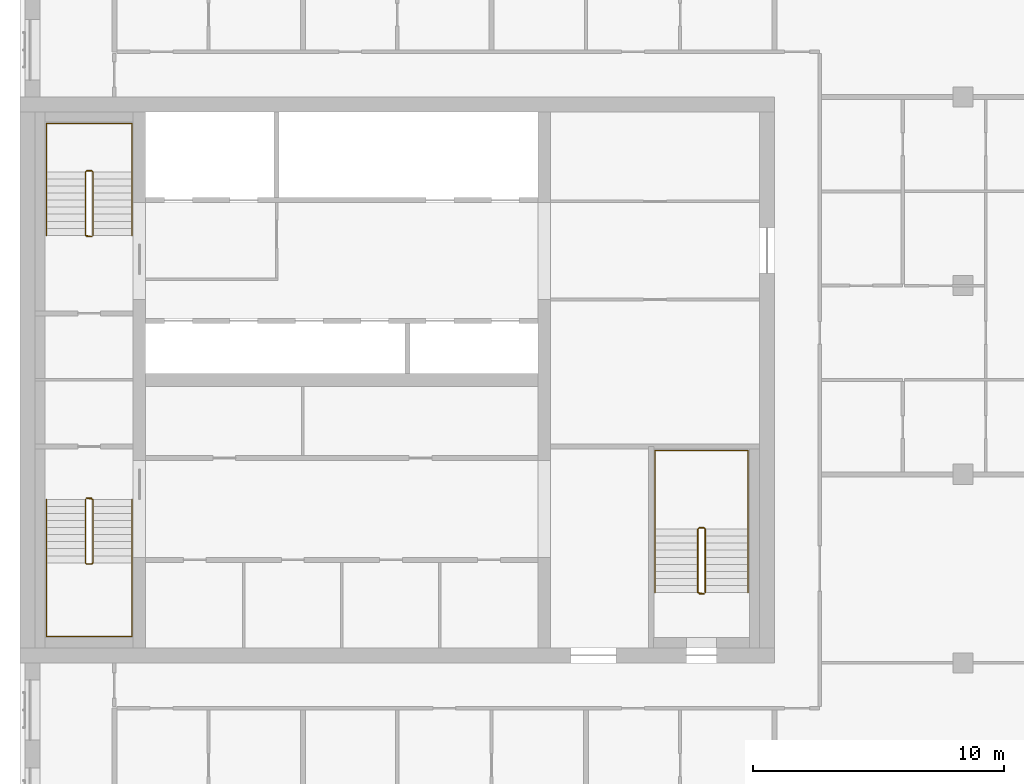
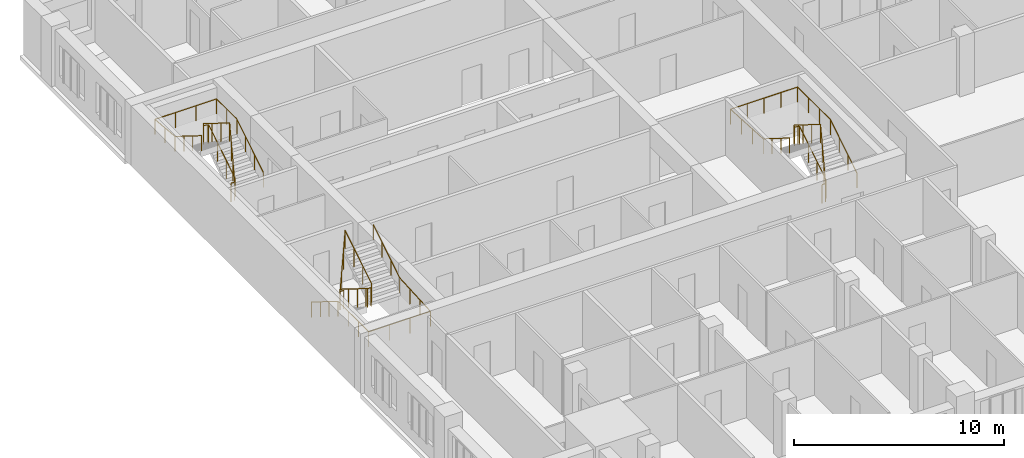
# One storey, part 11 of 11: 6 railings.
"""IFC4 building model written with IfcOpenShell, lengths in metres."""

from ifc_helpers import new_model, si_unit, direction, frame, origin, origin_2d, place, context, subcontext, project, spatial, circle, extrude, material, type_object, element, save


model = new_model("IFC4")

# Units and contexts
model_context = context("Model", 3, precision=1e-05, world=origin(), true_north=direction((0.0, 1.0)))
body_context = subcontext(model_context, "Body", "Model", "MODEL_VIEW")
ifc_project = project(units=[si_unit("LENGTHUNIT", "METRE"), si_unit("AREAUNIT", "SQUARE_METRE"), si_unit("VOLUMEUNIT", "CUBIC_METRE"), si_unit("PLANEANGLEUNIT", "RADIAN"), si_unit("MASSUNIT", "GRAM", prefix="KILO")], contexts=[model_context])

# Site, building, storey
site_placement = place(None, origin())
site = spatial("IfcSite", under=ifc_project, at=site_placement, CompositionType="ELEMENT")
building_placement = place(site_placement, origin())
building = spatial("IfcBuilding", under=site, at=building_placement, Name="Tamorin Gate", CompositionType="ELEMENT")
storey_placement = place(building_placement, frame((0.0, 0.0, 244.199951171875)))
storey = spatial("IfcBuildingStorey", under=building, at=storey_placement, Name="L61", CompositionType="ELEMENT", Elevation=244.199951171875)

# Railings
ifc_material_1 = material(Name="Painted steel balustrade", Category="steel")
railing_type_1 = type_object("IfcRailingType", Name="Stair guard 1100", PredefinedType="GUARDRAIL", material=ifc_material_1)
railing_1_placement = place(storey_placement, frame((32.60009765625, 66.5, 0.175048828125)))
element("IfcRailing", 1, at=railing_1_placement, inside=storey, type_object=railing_type_1, Name="L61 ST1 stair guard 1", PredefinedType="GUARDRAIL", context=body_context, shape_type="SweptSolid", body=[
    extrude(circle(Radius=0.02392578125, at=origin_2d()), frame((0.0, 0.0, 1.076171875), z_axis=(0.0, -0.848007534815, 0.529984170421), x_axis=(1.0, 0.0, 0.0)), (0.0, 0.0, 1.0), 2.9716796875),
    extrude(circle(Radius=0.02392578125, at=origin_2d()), frame((0.0, -2.52001953125, 2.65087890625), z_axis=(0.705375805398, -0.708833529934, 0.0), x_axis=(0.708833529934, 0.705375805398, 0.0)), (0.0, 0.0, 1.0), 0.070556640625),
    extrude(circle(Radius=0.02392578125, at=origin_2d()), frame((0.0498046875, -2.570068359375, 2.65087890625), z_axis=(1.0, 0.0, 0.0), x_axis=(0.0, 1.0, 0.0)), (0.0, 0.0, 1.0), 0.2001953125),
    extrude(circle(Radius=0.02392578125, at=origin_2d()), frame((0.25, -2.570068359375, 2.65087890625), z_axis=(0.263862480399, 0.265155923931, 0.927399011991), x_axis=(-0.708833529934, 0.705375805398, 0.0)), (0.0, 0.0, 1.0), 0.188720703125),
    extrude(circle(Radius=0.02392578125, at=origin_2d()), frame((0.2998046875, -2.52001953125, 2.826171875), z_axis=(0.0, 0.848007534815, 0.529984170421), x_axis=(-1.0, 0.0, 0.0)), (0.0, 0.0, 1.0), 2.9716796875),
    extrude(circle(Radius=0.02392578125, at=origin_2d()), frame((0.2998046875, 0.0, 4.40087890625), z_axis=(-0.071239803756, 0.014261874775, -0.997357252587), x_axis=(-0.196300278283, -0.98054382908, 0.0)), (0.0, 0.0, 1.0), 3.50927734375),
    extrude(circle(Radius=0.02392578125, at=origin_2d()), frame((0.0498046875, 0.050048828125, 0.90087890625), z_axis=(1.0, 0.0, 0.0), x_axis=(0.0, 1.0, 0.0)), (0.0, 0.0, 1.0), 0.2001953125),
    extrude(circle(Radius=0.02099609375, at=origin_2d()), origin(), (0.0, 0.0, 1.0), 1.052001953125),
    extrude(circle(Radius=0.02099609375, at=origin_2d()), frame((0.0, -0.840087890625, 0.52490234375)), (0.0, 0.0, 1.0), 1.052001953125),
    extrude(circle(Radius=0.02099609375, at=origin_2d()), frame((0.0, -1.679931640625, 1.050048828125)), (0.0, 0.0, 1.0), 1.052001953125),
    extrude(circle(Radius=0.02099609375, at=origin_2d()), frame((0.0, -2.52001953125, 1.574951171875)), (0.0, 0.0, 1.0), 1.052001953125),
    extrude(circle(Radius=0.02099609375, at=origin_2d()), frame((0.0498046875, -2.570068359375, 1.574951171875)), (0.0, 0.0, 1.0), 1.052001953125),
    extrude(circle(Radius=0.02099609375, at=origin_2d()), frame((0.25, -2.570068359375, 1.574951171875)), (0.0, 0.0, 1.0), 1.052001953125),
    extrude(circle(Radius=0.02099609375, at=origin_2d()), frame((0.2998046875, -2.52001953125, 1.75)), (0.0, 0.0, 1.0), 1.052001953125),
    extrude(circle(Radius=0.02099609375, at=origin_2d()), frame((0.2998046875, -1.679931640625, 2.27490234375)), (0.0, 0.0, 1.0), 1.052001953125),
    extrude(circle(Radius=0.02099609375, at=origin_2d()), frame((0.2998046875, -0.840087890625, 2.800048828125)), (0.0, 0.0, 1.0), 1.052001953125),
    extrude(circle(Radius=0.02099609375, at=origin_2d()), frame((0.2998046875, 0.0, 3.324951171875)), (0.0, 0.0, 1.0), 1.052001953125),
    extrude(circle(Radius=0.02099609375, at=origin_2d()), frame((0.216552734375, 0.0166015625, 2.158203125)), (0.0, 0.0, 1.0), 1.052001953125),
    extrude(circle(Radius=0.02099609375, at=origin_2d()), frame((0.133056640625, 0.033447265625, 0.99169921875)), (0.0, 0.0, 1.0), 1.052001953125),
    extrude(circle(Radius=0.02099609375, at=origin_2d()), frame((0.0498046875, 0.050048828125, -0.175048828125)), (0.0, 0.0, 1.0), 1.052001953125),
    extrude(circle(Radius=0.02099609375, at=origin_2d()), frame((0.25, 0.050048828125, -0.175048828125)), (0.0, 0.0, 1.0), 1.052001953125),
])
railing_2_placement = place(storey_placement, frame((32.89990234375, 77.0, 0.175048828125)))
element("IfcRailing", 2, at=railing_2_placement, inside=storey, type_object=railing_type_1, Name="L61 ST2 stair guard 1", PredefinedType="GUARDRAIL", context=body_context, shape_type="SweptSolid", body=[
    extrude(circle(Radius=0.02392578125, at=origin_2d()), frame((0.0, 0.0, 1.076171875), z_axis=(0.0, 0.848007534815, 0.529984170421), x_axis=(-1.0, 0.0, 0.0)), (0.0, 0.0, 1.0), 2.9716796875),
    extrude(circle(Radius=0.02392578125, at=origin_2d()), frame((0.0, 2.52001953125, 2.65087890625), z_axis=(-0.705375805398, 0.708833529934, 0.0), x_axis=(-0.708833529934, -0.705375805398, 0.0)), (0.0, 0.0, 1.0), 0.070556640625),
    extrude(circle(Radius=0.02392578125, at=origin_2d()), frame((-0.0498046875, 2.570068359375, 2.65087890625), z_axis=(-1.0, 0.0, 0.0), x_axis=(0.0, -1.0, 0.0)), (0.0, 0.0, 1.0), 0.2001953125),
    extrude(circle(Radius=0.02392578125, at=origin_2d()), frame((-0.25, 2.570068359375, 2.65087890625), z_axis=(-0.263862480399, -0.265155923931, 0.927399011991), x_axis=(0.708833529934, -0.705375805398, 0.0)), (0.0, 0.0, 1.0), 0.188720703125),
    extrude(circle(Radius=0.02392578125, at=origin_2d()), frame((-0.2998046875, 2.52001953125, 2.826171875), z_axis=(0.0, -0.848007534815, 0.529984170421), x_axis=(1.0, 0.0, 0.0)), (0.0, 0.0, 1.0), 2.9716796875),
    extrude(circle(Radius=0.02392578125, at=origin_2d()), frame((-0.2998046875, 0.0, 4.40087890625), z_axis=(0.071239803756, -0.014261874775, -0.997357252587), x_axis=(0.196300278283, 0.98054382908, 0.0)), (0.0, 0.0, 1.0), 3.50927734375),
    extrude(circle(Radius=0.02392578125, at=origin_2d()), frame((-0.0498046875, -0.050048828125, 0.90087890625), z_axis=(-1.0, 0.0, 0.0), x_axis=(0.0, -1.0, 0.0)), (0.0, 0.0, 1.0), 0.2001953125),
    extrude(circle(Radius=0.02099609375, at=origin_2d()), origin(), (0.0, 0.0, 1.0), 1.052001953125),
    extrude(circle(Radius=0.02099609375, at=origin_2d()), frame((0.0, 0.840087890625, 0.52490234375)), (0.0, 0.0, 1.0), 1.052001953125),
    extrude(circle(Radius=0.02099609375, at=origin_2d()), frame((0.0, 1.679931640625, 1.050048828125)), (0.0, 0.0, 1.0), 1.052001953125),
    extrude(circle(Radius=0.02099609375, at=origin_2d()), frame((0.0, 2.52001953125, 1.574951171875)), (0.0, 0.0, 1.0), 1.052001953125),
    extrude(circle(Radius=0.02099609375, at=origin_2d()), frame((-0.0498046875, 2.570068359375, 1.574951171875)), (0.0, 0.0, 1.0), 1.052001953125),
    extrude(circle(Radius=0.02099609375, at=origin_2d()), frame((-0.25, 2.570068359375, 1.574951171875)), (0.0, 0.0, 1.0), 1.052001953125),
    extrude(circle(Radius=0.02099609375, at=origin_2d()), frame((-0.2998046875, 2.52001953125, 1.75)), (0.0, 0.0, 1.0), 1.052001953125),
    extrude(circle(Radius=0.02099609375, at=origin_2d()), frame((-0.2998046875, 1.679931640625, 2.27490234375)), (0.0, 0.0, 1.0), 1.052001953125),
    extrude(circle(Radius=0.02099609375, at=origin_2d()), frame((-0.2998046875, 0.840087890625, 2.800048828125)), (0.0, 0.0, 1.0), 1.052001953125),
    extrude(circle(Radius=0.02099609375, at=origin_2d()), frame((-0.2998046875, 0.0, 3.324951171875)), (0.0, 0.0, 1.0), 1.052001953125),
    extrude(circle(Radius=0.02099609375, at=origin_2d()), frame((-0.216552734375, -0.0166015625, 2.158203125)), (0.0, 0.0, 1.0), 1.052001953125),
    extrude(circle(Radius=0.02099609375, at=origin_2d()), frame((-0.133056640625, -0.033447265625, 0.99169921875)), (0.0, 0.0, 1.0), 1.052001953125),
    extrude(circle(Radius=0.02099609375, at=origin_2d()), frame((-0.0498046875, -0.050048828125, -0.175048828125)), (0.0, 0.0, 1.0), 1.052001953125),
    extrude(circle(Radius=0.02099609375, at=origin_2d()), frame((-0.25, -0.050048828125, -0.175048828125)), (0.0, 0.0, 1.0), 1.052001953125),
])
railing_3_placement = place(storey_placement, frame((57.25, 62.800048828125, 0.175048828125)))
element("IfcRailing", 3, at=railing_3_placement, inside=storey, type_object=railing_type_1, Name="L61 ST3 stair guard 1", PredefinedType="GUARDRAIL", context=body_context, shape_type="SweptSolid", body=[
    extrude(circle(Radius=0.02392578125, at=origin_2d()), frame((0.0, 0.0, 1.076171875), z_axis=(0.0, 0.848007534815, 0.529984170421), x_axis=(-1.0, 0.0, 0.0)), (0.0, 0.0, 1.0), 2.9716796875),
    extrude(circle(Radius=0.02392578125, at=origin_2d()), frame((0.0, 2.52001953125, 2.65087890625), z_axis=(-0.707106781187, 0.707106781187, 0.0), x_axis=(-0.707106781187, -0.707106781187, 0.0)), (0.0, 0.0, 1.0), 0.07080078125),
    extrude(circle(Radius=0.02392578125, at=origin_2d()), frame((-0.050048828125, 2.570068359375, 2.65087890625), z_axis=(-1.0, 0.0, 0.0), x_axis=(0.0, -1.0, 0.0)), (0.0, 0.0, 1.0), 0.199951171875),
    extrude(circle(Radius=0.02392578125, at=origin_2d()), frame((-0.25, 2.570068359375, 2.65087890625), z_axis=(-0.265065253269, -0.265065253269, 0.927081885822), x_axis=(0.707106781187, -0.707106781187, 0.0)), (0.0, 0.0, 1.0), 0.188720703125),
    extrude(circle(Radius=0.02392578125, at=origin_2d()), frame((-0.300048828125, 2.52001953125, 2.826171875), z_axis=(0.0, -0.848007534815, 0.529984170421), x_axis=(1.0, 0.0, 0.0)), (0.0, 0.0, 1.0), 2.9716796875),
    extrude(circle(Radius=0.02392578125, at=origin_2d()), frame((-0.300048828125, 0.0, 4.40087890625), z_axis=(0.071239803756, -0.014261874775, -0.997357252587), x_axis=(0.196300278283, 0.98054382908, 0.0)), (0.0, 0.0, 1.0), 3.50927734375),
    extrude(circle(Radius=0.02392578125, at=origin_2d()), frame((-0.050048828125, -0.050048828125, 0.90087890625), z_axis=(-1.0, 0.0, 0.0), x_axis=(0.0, -1.0, 0.0)), (0.0, 0.0, 1.0), 0.199951171875),
    extrude(circle(Radius=0.02099609375, at=origin_2d()), origin(), (0.0, 0.0, 1.0), 1.052001953125),
    extrude(circle(Radius=0.02099609375, at=origin_2d()), frame((0.0, 0.840087890625, 0.52490234375)), (0.0, 0.0, 1.0), 1.052001953125),
    extrude(circle(Radius=0.02099609375, at=origin_2d()), frame((0.0, 1.679931640625, 1.050048828125)), (0.0, 0.0, 1.0), 1.052001953125),
    extrude(circle(Radius=0.02099609375, at=origin_2d()), frame((0.0, 2.52001953125, 1.574951171875)), (0.0, 0.0, 1.0), 1.052001953125),
    extrude(circle(Radius=0.02099609375, at=origin_2d()), frame((-0.050048828125, 2.570068359375, 1.574951171875)), (0.0, 0.0, 1.0), 1.052001953125),
    extrude(circle(Radius=0.02099609375, at=origin_2d()), frame((-0.25, 2.570068359375, 1.574951171875)), (0.0, 0.0, 1.0), 1.052001953125),
    extrude(circle(Radius=0.02099609375, at=origin_2d()), frame((-0.300048828125, 2.52001953125, 1.75)), (0.0, 0.0, 1.0), 1.052001953125),
    extrude(circle(Radius=0.02099609375, at=origin_2d()), frame((-0.300048828125, 1.679931640625, 2.27490234375)), (0.0, 0.0, 1.0), 1.052001953125),
    extrude(circle(Radius=0.02099609375, at=origin_2d()), frame((-0.300048828125, 0.840087890625, 2.800048828125)), (0.0, 0.0, 1.0), 1.052001953125),
    extrude(circle(Radius=0.02099609375, at=origin_2d()), frame((-0.300048828125, 0.0, 3.324951171875)), (0.0, 0.0, 1.0), 1.052001953125),
    extrude(circle(Radius=0.02099609375, at=origin_2d()), frame((-0.216796875, -0.0166015625, 2.158203125)), (0.0, 0.0, 1.0), 1.052001953125),
    extrude(circle(Radius=0.02099609375, at=origin_2d()), frame((-0.13330078125, -0.033447265625, 0.99169921875)), (0.0, 0.0, 1.0), 1.052001953125),
    extrude(circle(Radius=0.02099609375, at=origin_2d()), frame((-0.050048828125, -0.050048828125, -0.175048828125)), (0.0, 0.0, 1.0), 1.052001953125),
    extrude(circle(Radius=0.02099609375, at=origin_2d()), frame((-0.25, -0.050048828125, -0.175048828125)), (0.0, 0.0, 1.0), 1.052001953125),
])
ifc_material_2 = material(Name="Painted steel handrail", Category="steel")
railing_type_2 = type_object("IfcRailingType", Name="Stair handrail 900", PredefinedType="HANDRAIL", material=ifc_material_2)
railing_4_placement = place(storey_placement, frame((31.050048828125, 66.5, 0.175048828125)))
element("IfcRailing", 4, at=railing_4_placement, inside=storey, type_object=railing_type_2, Name="L61 ST1 stair handrail 1", PredefinedType="HANDRAIL", context=body_context, shape_type="SweptSolid", body=[
    extrude(circle(Radius=0.02392578125, at=origin_2d()), frame((0.0, 0.0, 0.8759765625), z_axis=(0.0, -0.848007534815, 0.529984170421), x_axis=(1.0, 0.0, 0.0)), (0.0, 0.0, 1.0), 2.9716796875),
    extrude(circle(Radius=0.02392578125, at=origin_2d()), frame((0.0, -2.52001953125, 2.45068359375), z_axis=(0.0, -1.0, 0.0), x_axis=(1.0, 0.0, 0.0)), (0.0, 0.0, 1.0), 2.929931640625),
    extrude(circle(Radius=0.02392578125, at=origin_2d()), frame((0.0, -5.449951171875, 2.45068359375), z_axis=(1.0, 0.0, 0.0), x_axis=(0.0, 1.0, 0.0)), (0.0, 0.0, 1.0), 3.39990234375),
    extrude(circle(Radius=0.02392578125, at=origin_2d()), frame((3.39990234375, -5.449951171875, 2.45068359375), z_axis=(0.0, 0.998220029962, 0.0596386769), x_axis=(-1.0, 0.0, 0.0)), (0.0, 0.0, 1.0), 2.93505859375),
    extrude(circle(Radius=0.02392578125, at=origin_2d()), frame((3.39990234375, -2.52001953125, 2.6259765625), z_axis=(0.0, 0.848007534815, 0.529984170421), x_axis=(-1.0, 0.0, 0.0)), (0.0, 0.0, 1.0), 2.9716796875),
    extrude(circle(Radius=0.02099609375, at=origin_2d()), origin(), (0.0, 0.0, 1.0), 0.851806640625),
    extrude(circle(Radius=0.02099609375, at=origin_2d()), frame((0.0, -0.840087890625, 0.52490234375)), (0.0, 0.0, 1.0), 0.851806640625),
    extrude(circle(Radius=0.02099609375, at=origin_2d()), frame((0.0, -1.679931640625, 1.050048828125)), (0.0, 0.0, 1.0), 0.851806640625),
    extrude(circle(Radius=0.02099609375, at=origin_2d()), frame((0.0, -2.52001953125, 1.574951171875)), (0.0, 0.0, 1.0), 0.851806640625),
    extrude(circle(Radius=0.02099609375, at=origin_2d()), frame((0.0, -3.49658203125, 1.574951171875)), (0.0, 0.0, 1.0), 0.851806640625),
    extrude(circle(Radius=0.02099609375, at=origin_2d()), frame((0.0, -4.473388671875, 1.574951171875)), (0.0, 0.0, 1.0), 0.851806640625),
    extrude(circle(Radius=0.02099609375, at=origin_2d()), frame((0.0, -5.449951171875, 1.574951171875)), (0.0, 0.0, 1.0), 0.851806640625),
    extrude(circle(Radius=0.02099609375, at=origin_2d()), frame((1.13330078125, -5.449951171875, 1.574951171875)), (0.0, 0.0, 1.0), 0.851806640625),
    extrude(circle(Radius=0.02099609375, at=origin_2d()), frame((2.2666015625, -5.449951171875, 1.574951171875)), (0.0, 0.0, 1.0), 0.851806640625),
    extrude(circle(Radius=0.02099609375, at=origin_2d()), frame((3.39990234375, -5.449951171875, 1.574951171875)), (0.0, 0.0, 1.0), 0.851806640625),
    extrude(circle(Radius=0.02099609375, at=origin_2d()), frame((3.39990234375, -4.473388671875, 1.63330078125)), (0.0, 0.0, 1.0), 0.851806640625),
    extrude(circle(Radius=0.02099609375, at=origin_2d()), frame((3.39990234375, -3.49658203125, 1.691650390625)), (0.0, 0.0, 1.0), 0.851806640625),
    extrude(circle(Radius=0.02099609375, at=origin_2d()), frame((3.39990234375, -2.52001953125, 1.75)), (0.0, 0.0, 1.0), 0.851806640625),
    extrude(circle(Radius=0.02099609375, at=origin_2d()), frame((3.39990234375, -1.679931640625, 2.27490234375)), (0.0, 0.0, 1.0), 0.851806640625),
    extrude(circle(Radius=0.02099609375, at=origin_2d()), frame((3.39990234375, -0.840087890625, 2.800048828125)), (0.0, 0.0, 1.0), 0.851806640625),
    extrude(circle(Radius=0.02099609375, at=origin_2d()), frame((3.39990234375, 0.0, 3.324951171875)), (0.0, 0.0, 1.0), 0.851806640625),
])
railing_5_placement = place(storey_placement, frame((34.449951171875, 77.0, 0.175048828125)))
element("IfcRailing", 5, at=railing_5_placement, inside=storey, type_object=railing_type_2, Name="L61 ST2 stair handrail 1", PredefinedType="HANDRAIL", context=body_context, shape_type="SweptSolid", body=[
    extrude(circle(Radius=0.02392578125, at=origin_2d()), frame((0.0, 0.0, 0.8759765625), z_axis=(0.0, 0.848007534815, 0.529984170421), x_axis=(-1.0, 0.0, 0.0)), (0.0, 0.0, 1.0), 2.9716796875),
    extrude(circle(Radius=0.02392578125, at=origin_2d()), frame((0.0, 2.52001953125, 2.45068359375), z_axis=(0.0, 1.0, 0.0), x_axis=(-1.0, 0.0, 0.0)), (0.0, 0.0, 1.0), 1.929931640625),
    extrude(circle(Radius=0.02392578125, at=origin_2d()), frame((0.0, 4.449951171875, 2.45068359375), z_axis=(-1.0, 0.0, 0.0), x_axis=(0.0, -1.0, 0.0)), (0.0, 0.0, 1.0), 3.39990234375),
    extrude(circle(Radius=0.02392578125, at=origin_2d()), frame((-3.39990234375, 4.449951171875, 2.45068359375), z_axis=(0.0, -0.995911773435, 0.090331276604), x_axis=(1.0, 0.0, 0.0)), (0.0, 0.0, 1.0), 1.937744140625),
    extrude(circle(Radius=0.02392578125, at=origin_2d()), frame((-3.39990234375, 2.52001953125, 2.6259765625), z_axis=(0.0, -0.848007534815, 0.529984170421), x_axis=(1.0, 0.0, 0.0)), (0.0, 0.0, 1.0), 2.9716796875),
    extrude(circle(Radius=0.02099609375, at=origin_2d()), origin(), (0.0, 0.0, 1.0), 0.851806640625),
    extrude(circle(Radius=0.02099609375, at=origin_2d()), frame((0.0, 0.840087890625, 0.52490234375)), (0.0, 0.0, 1.0), 0.851806640625),
    extrude(circle(Radius=0.02099609375, at=origin_2d()), frame((0.0, 1.679931640625, 1.050048828125)), (0.0, 0.0, 1.0), 0.851806640625),
    extrude(circle(Radius=0.02099609375, at=origin_2d()), frame((0.0, 2.52001953125, 1.574951171875)), (0.0, 0.0, 1.0), 0.851806640625),
    extrude(circle(Radius=0.02099609375, at=origin_2d()), frame((0.0, 3.48486328125, 1.574951171875)), (0.0, 0.0, 1.0), 0.851806640625),
    extrude(circle(Radius=0.02099609375, at=origin_2d()), frame((0.0, 4.449951171875, 1.574951171875)), (0.0, 0.0, 1.0), 0.851806640625),
    extrude(circle(Radius=0.02099609375, at=origin_2d()), frame((-1.13330078125, 4.449951171875, 1.574951171875)), (0.0, 0.0, 1.0), 0.851806640625),
    extrude(circle(Radius=0.02099609375, at=origin_2d()), frame((-2.2666015625, 4.449951171875, 1.574951171875)), (0.0, 0.0, 1.0), 0.851806640625),
    extrude(circle(Radius=0.02099609375, at=origin_2d()), frame((-3.39990234375, 4.449951171875, 1.574951171875)), (0.0, 0.0, 1.0), 0.851806640625),
    extrude(circle(Radius=0.02099609375, at=origin_2d()), frame((-3.39990234375, 3.48486328125, 1.66259765625)), (0.0, 0.0, 1.0), 0.851806640625),
    extrude(circle(Radius=0.02099609375, at=origin_2d()), frame((-3.39990234375, 2.52001953125, 1.75)), (0.0, 0.0, 1.0), 0.851806640625),
    extrude(circle(Radius=0.02099609375, at=origin_2d()), frame((-3.39990234375, 1.679931640625, 2.27490234375)), (0.0, 0.0, 1.0), 0.851806640625),
    extrude(circle(Radius=0.02099609375, at=origin_2d()), frame((-3.39990234375, 0.840087890625, 2.800048828125)), (0.0, 0.0, 1.0), 0.851806640625),
    extrude(circle(Radius=0.02099609375, at=origin_2d()), frame((-3.39990234375, 0.0, 3.324951171875)), (0.0, 0.0, 1.0), 0.851806640625),
])
railing_6_placement = place(storey_placement, frame((58.949951171875, 62.800048828125, 0.175048828125)))
element("IfcRailing", 6, at=railing_6_placement, inside=storey, type_object=railing_type_2, Name="L61 ST3 stair handrail 1", PredefinedType="HANDRAIL", context=body_context, shape_type="SweptSolid", body=[
    extrude(circle(Radius=0.02392578125, at=origin_2d()), frame((0.0, 0.0, 0.8759765625), z_axis=(0.0, 0.848007534815, 0.529984170421), x_axis=(-1.0, 0.0, 0.0)), (0.0, 0.0, 1.0), 2.9716796875),
    extrude(circle(Radius=0.02392578125, at=origin_2d()), frame((0.0, 2.52001953125, 2.45068359375), z_axis=(0.0, 1.0, 0.0), x_axis=(-1.0, 0.0, 0.0)), (0.0, 0.0, 1.0), 3.1298828125),
    extrude(circle(Radius=0.02392578125, at=origin_2d()), frame((0.0, 5.64990234375, 2.45068359375), z_axis=(-1.0, 0.0, 0.0), x_axis=(0.0, -1.0, 0.0)), (0.0, 0.0, 1.0), 3.699951171875),
    extrude(circle(Radius=0.02392578125, at=origin_2d()), frame((-3.699951171875, 5.64990234375, 2.45068359375), z_axis=(0.0, -0.998439675676, 0.055840970941), x_axis=(1.0, 0.0, 0.0)), (0.0, 0.0, 1.0), 3.134765625),
    extrude(circle(Radius=0.02392578125, at=origin_2d()), frame((-3.699951171875, 2.52001953125, 2.6259765625), z_axis=(0.0, -0.848007534815, 0.529984170421), x_axis=(1.0, 0.0, 0.0)), (0.0, 0.0, 1.0), 2.9716796875),
    extrude(circle(Radius=0.02099609375, at=origin_2d()), origin(), (0.0, 0.0, 1.0), 0.851806640625),
    extrude(circle(Radius=0.02099609375, at=origin_2d()), frame((0.0, 0.840087890625, 0.52490234375)), (0.0, 0.0, 1.0), 0.851806640625),
    extrude(circle(Radius=0.02099609375, at=origin_2d()), frame((0.0, 1.679931640625, 1.050048828125)), (0.0, 0.0, 1.0), 0.851806640625),
    extrude(circle(Radius=0.02099609375, at=origin_2d()), frame((0.0, 2.52001953125, 1.574951171875)), (0.0, 0.0, 1.0), 0.851806640625),
    extrude(circle(Radius=0.02099609375, at=origin_2d()), frame((0.0, 3.563232421875, 1.574951171875)), (0.0, 0.0, 1.0), 0.851806640625),
    extrude(circle(Radius=0.02099609375, at=origin_2d()), frame((0.0, 4.606689453125, 1.574951171875)), (0.0, 0.0, 1.0), 0.851806640625),
    extrude(circle(Radius=0.02099609375, at=origin_2d()), frame((0.0, 5.64990234375, 1.574951171875)), (0.0, 0.0, 1.0), 0.851806640625),
    extrude(circle(Radius=0.02099609375, at=origin_2d()), frame((-0.925048828125, 5.64990234375, 1.574951171875)), (0.0, 0.0, 1.0), 0.851806640625),
    extrude(circle(Radius=0.02099609375, at=origin_2d()), frame((-1.85009765625, 5.64990234375, 1.574951171875)), (0.0, 0.0, 1.0), 0.851806640625),
    extrude(circle(Radius=0.02099609375, at=origin_2d()), frame((-2.77490234375, 5.64990234375, 1.574951171875)), (0.0, 0.0, 1.0), 0.851806640625),
    extrude(circle(Radius=0.02099609375, at=origin_2d()), frame((-3.699951171875, 5.64990234375, 1.574951171875)), (0.0, 0.0, 1.0), 0.851806640625),
    extrude(circle(Radius=0.02099609375, at=origin_2d()), frame((-3.699951171875, 4.606689453125, 1.63330078125)), (0.0, 0.0, 1.0), 0.851806640625),
    extrude(circle(Radius=0.02099609375, at=origin_2d()), frame((-3.699951171875, 3.563232421875, 1.691650390625)), (0.0, 0.0, 1.0), 0.851806640625),
    extrude(circle(Radius=0.02099609375, at=origin_2d()), frame((-3.699951171875, 2.52001953125, 1.75)), (0.0, 0.0, 1.0), 0.851806640625),
    extrude(circle(Radius=0.02099609375, at=origin_2d()), frame((-3.699951171875, 1.679931640625, 2.27490234375)), (0.0, 0.0, 1.0), 0.851806640625),
    extrude(circle(Radius=0.02099609375, at=origin_2d()), frame((-3.699951171875, 0.840087890625, 2.800048828125)), (0.0, 0.0, 1.0), 0.851806640625),
    extrude(circle(Radius=0.02099609375, at=origin_2d()), frame((-3.699951171875, 0.0, 3.324951171875)), (0.0, 0.0, 1.0), 0.851806640625),
])

save(model, "model.ifc")
